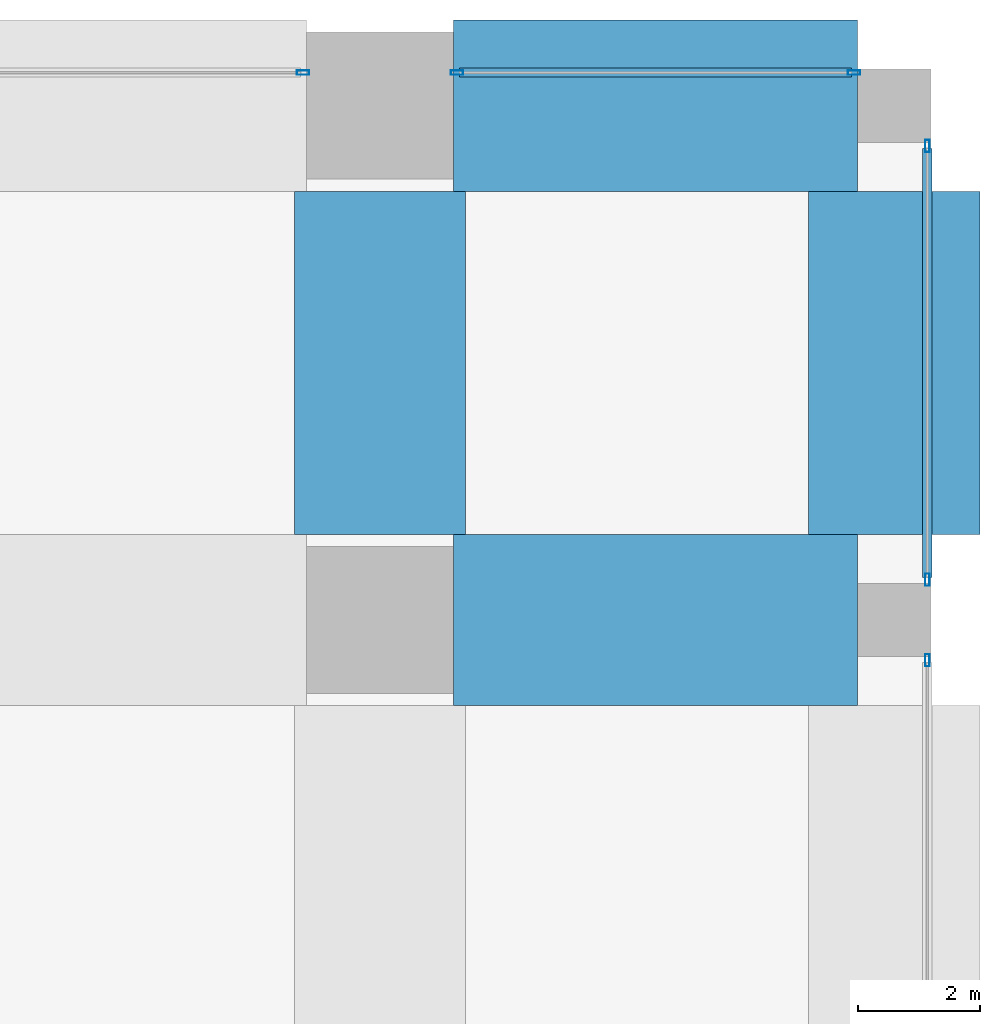
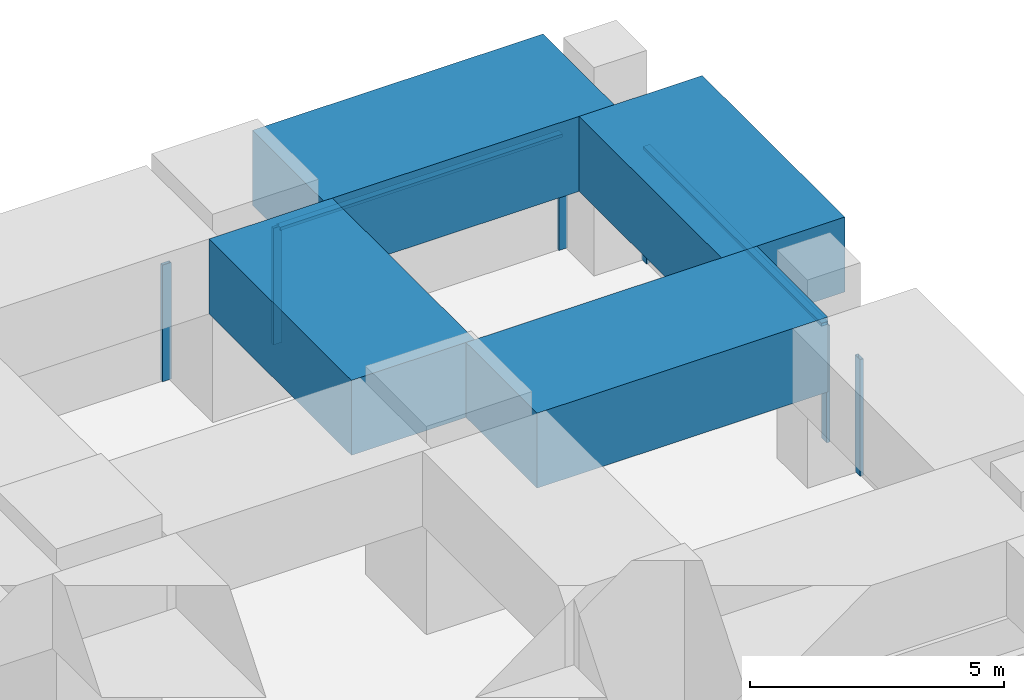
# One storey, part 36 of 52: 8 members, 4 beams, 4 elements without a shape of their own.
"""IFC4 building model written with IfcOpenShell, lengths in metres."""

from ifc_helpers import new_model, si_unit, direction, frame, origin, origin_2d, place, context, subcontext, project, spatial, rectangle, hollow_rectangle, extrude, material, material_profile, profile_set, type_object, element, aggregate, save


model = new_model("IFC4")

# Units and contexts
model_context = context("Model", 3, precision=1e-05, world=origin(), true_north=direction((0.0, 1.0)))
body_context = subcontext(model_context, "Body", "Model", "MODEL_VIEW")
ifc_project = project(units=[si_unit("LENGTHUNIT", "METRE"), si_unit("AREAUNIT", "SQUARE_METRE"), si_unit("VOLUMEUNIT", "CUBIC_METRE"), si_unit("PLANEANGLEUNIT", "RADIAN"), si_unit("MASSUNIT", "GRAM", prefix="KILO")], contexts=[model_context])

# Site, building, storey
site_placement = place(None, origin())
site = spatial("IfcSite", under=ifc_project, at=site_placement, CompositionType="ELEMENT")
building_placement = place(site_placement, origin())
building = spatial("IfcBuilding", under=site, at=building_placement, Name="Rekha Terrace Tower", CompositionType="ELEMENT")
storey_placement = place(building_placement, frame((0.0, 0.0, 20.39990234375)))
storey = spatial("IfcBuildingStorey", under=building, at=storey_placement, Name="L04", CompositionType="ELEMENT", Elevation=20.39990234375)

# Curtain wall, member
ifc_material_1 = material(Name="Aluminium framing", Category="aluminium")
curtain_wall_type = type_object("IfcCurtainWallType", Name="CW4 podium shopfront glazing", PredefinedType="USERDEFINED", material=ifc_material_1)
curtain_wall_1_placement = place(storey_placement, origin())
curtain_wall_1 = element("IfcCurtainWall", 1, at=curtain_wall_1_placement, inside=storey, type_object=curtain_wall_type, Name="CW4 shopfront curtain wall", ObjectType="SHOPFRONT CURTAIN WALL", PredefinedType="USERDEFINED")
ifc_material_2 = material(Name="Aluminium mullion section", Category="aluminium")
ifc_material_profile_1 = material_profile(ifc_material_2, hollow_rectangle(XDim=0.074951171875, YDim=0.199951171875, WallThickness=0.00390625, at=origin_2d()), Name="AL RHS 75x200")
ifc_profile_set_1 = profile_set([ifc_material_profile_1], Name="Aluminium mullion section")
member_type_1 = type_object("IfcMemberType", Name="CW4 mullion RHS 75 x 200", PredefinedType="MULLION", material=ifc_profile_set_1)
member_1_placement = place(storey_placement, frame((76.139892578125, 49.742431640625, 0.0), z_axis=(0.0, 0.0, 1.0), x_axis=(-1.0, 0.0, 0.0)))
member_1 = element("IfcMember", 2, at=member_1_placement, type_object=member_type_1, Name="CW4 mullion 2", PredefinedType="MULLION", context=body_context, shape_type="SweptSolid", body=[
    extrude(hollow_rectangle(XDim=0.074951171875, YDim=0.199951171875, WallThickness=0.00390625, at=origin_2d()), origin(), (0.0, 0.0, 1.0), 2.800048828125),
])
aggregate(curtain_wall_1, [member_1])

# Curtain wall, members
curtain_wall_2_placement = place(storey_placement, origin())
curtain_wall_2 = element("IfcCurtainWall", 3, at=curtain_wall_2_placement, inside=storey, type_object=curtain_wall_type, Name="CW4 shopfront curtain wall", ObjectType="SHOPFRONT CURTAIN WALL", PredefinedType="USERDEFINED")
member_2_placement = place(storey_placement, frame((76.139892578125, 51.0576171875, 0.0), z_axis=(0.0, 0.0, 1.0), x_axis=(-1.0, 0.0, 0.0)))
member_2 = element("IfcMember", 4, at=member_2_placement, type_object=member_type_1, Name="CW4 mullion 1", PredefinedType="MULLION", context=body_context, shape_type="SweptSolid", body=[
    extrude(hollow_rectangle(XDim=0.074951171875, YDim=0.199951171875, WallThickness=0.00390625, at=origin_2d()), origin(), (0.0, 0.0, 1.0), 2.800048828125),
])
member_3_placement = place(storey_placement, frame((76.139892578125, 58.142578125, 0.0), z_axis=(0.0, 0.0, 1.0), x_axis=(-1.0, 0.0, 0.0)))
member_3 = element("IfcMember", 5, at=member_3_placement, type_object=member_type_1, Name="CW4 mullion 2", PredefinedType="MULLION", context=body_context, shape_type="SweptSolid", body=[
    extrude(hollow_rectangle(XDim=0.074951171875, YDim=0.199951171875, WallThickness=0.00390625, at=origin_2d()), origin(), (0.0, 0.0, 1.0), 2.800048828125),
])

curtain_wall_3_placement = place(storey_placement, origin())
curtain_wall_3 = element("IfcCurtainWall", 6, at=curtain_wall_3_placement, inside=storey, type_object=curtain_wall_type, Name="CW4 shopfront curtain wall", ObjectType="SHOPFRONT CURTAIN WALL", PredefinedType="USERDEFINED")
member_4_placement = place(storey_placement, frame((74.9423828125, 59.340087890625, 0.0), z_axis=(0.0, 0.0, 1.0), x_axis=(0.0, -1.0, 0.0)))
member_4 = element("IfcMember", 7, at=member_4_placement, type_object=member_type_1, Name="CW4 mullion 1", PredefinedType="MULLION", context=body_context, shape_type="SweptSolid", body=[
    extrude(hollow_rectangle(XDim=0.074951171875, YDim=0.199951171875, WallThickness=0.00390625, at=origin_2d()), origin(), (0.0, 0.0, 1.0), 2.800048828125),
])
member_5_placement = place(storey_placement, frame((68.45751953125, 59.340087890625, 0.0), z_axis=(0.0, 0.0, 1.0), x_axis=(0.0, -1.0, 0.0)))
member_5 = element("IfcMember", 8, at=member_5_placement, type_object=member_type_1, Name="CW4 mullion 2", PredefinedType="MULLION", context=body_context, shape_type="SweptSolid", body=[
    extrude(hollow_rectangle(XDim=0.074951171875, YDim=0.199951171875, WallThickness=0.00390625, at=origin_2d()), origin(), (0.0, 0.0, 1.0), 2.800048828125),
])

# Curtain wall, member
curtain_wall_4_placement = place(storey_placement, origin())
curtain_wall_4 = element("IfcCurtainWall", 9, at=curtain_wall_4_placement, inside=storey, type_object=curtain_wall_type, Name="CW4 shopfront curtain wall", ObjectType="SHOPFRONT CURTAIN WALL", PredefinedType="USERDEFINED")
member_6_placement = place(storey_placement, frame((65.9423828125, 59.340087890625, 0.0), z_axis=(0.0, 0.0, 1.0), x_axis=(0.0, -1.0, 0.0)))
member_6 = element("IfcMember", 10, at=member_6_placement, type_object=member_type_1, Name="CW4 mullion 1", PredefinedType="MULLION", context=body_context, shape_type="SweptSolid", body=[
    extrude(hollow_rectangle(XDim=0.074951171875, YDim=0.199951171875, WallThickness=0.00390625, at=origin_2d()), origin(), (0.0, 0.0, 1.0), 2.800048828125),
])
aggregate(curtain_wall_4, [member_6])

# Member
ifc_material_3 = material(Name="Aluminium transom section", Category="aluminium")
ifc_material_profile_2 = material_profile(ifc_material_3, hollow_rectangle(XDim=0.14990234375, YDim=0.074951171875, WallThickness=0.0029296875, at=origin_2d()), Name="AL RHS 150x75")
ifc_profile_set_2 = profile_set([ifc_material_profile_2], Name="Aluminium transom section")
member_type_2 = type_object("IfcMemberType", Name="CW4 transom RHS 75 x 150", PredefinedType="USERDEFINED", material=ifc_profile_set_2)
member_7_placement = place(storey_placement, frame((76.139892578125, 51.094970703125, 2.7626953125), z_axis=(0.0, 1.0, 0.0), x_axis=(-1.0, 0.0, 0.0)))
member_7 = element("IfcMember", 11, at=member_7_placement, type_object=member_type_2, Name="CW4 transom 1.2", ObjectType="TRANSOM", PredefinedType="USERDEFINED", context=body_context, shape_type="SweptSolid", body=[
    extrude(hollow_rectangle(XDim=0.14990234375, YDim=0.074951171875, WallThickness=0.0029296875, at=origin_2d()), origin(), (0.0, 0.0, 1.0), 7.010009765625),
])

aggregate(curtain_wall_2, [member_2, member_3, member_7])

member_8_placement = place(storey_placement, frame((74.905029296875, 59.340087890625, 2.7626953125), z_axis=(-1.0, 0.0, 0.0), x_axis=(0.0, -1.0, 0.0)))
member_8 = element("IfcMember", 12, at=member_8_placement, type_object=member_type_2, Name="CW4 transom 1.2", ObjectType="TRANSOM", PredefinedType="USERDEFINED", context=body_context, shape_type="SweptSolid", body=[
    extrude(hollow_rectangle(XDim=0.14990234375, YDim=0.074951171875, WallThickness=0.0029296875, at=origin_2d()), origin(), (0.0, 0.0, 1.0), 6.409912109375),
])

aggregate(curtain_wall_3, [member_4, member_5, member_8])

# Beams
ifc_material_4 = material(Name="Concrete M70", Category="concrete")
ifc_material_profile_3 = material_profile(ifc_material_4, rectangle(XDim=2.800048828125, YDim=1.800048828125, at=origin_2d()), Name="RC 2800x1800")
ifc_profile_set_3 = profile_set([ifc_material_profile_3], Name="Concrete M70")
beam_type = type_object("IfcBeamType", Name="G2 2800x1800 podium roof band beam", PredefinedType="BEAM", material=ifc_profile_set_3)
beam_1_placement = place(storey_placement, frame((68.39990234375, 50.39990234375, 3.7001953125), z_axis=(1.0, 0.0, 0.0), x_axis=(0.0, 1.0, 0.0)))
element("IfcBeam", 13, at=beam_1_placement, inside=storey, type_object=beam_type, Name="Beam G2 9G-10G under L05", PredefinedType="BEAM", context=body_context, shape_type="SweptSolid", body=[
    extrude(rectangle(XDim=2.800048828125, YDim=1.800048828125, at=origin_2d()), origin(), (0.0, 0.0, 1.0), 6.60009765625),
])
beam_2_placement = place(storey_placement, frame((67.199951171875, 51.800048828125, 3.7001953125), z_axis=(0.0, 1.0, 0.0), x_axis=(-1.0, 0.0, 0.0)))
element("IfcBeam", 14, at=beam_2_placement, inside=storey, type_object=beam_type, Name="Beam G2 9G-9H under L05", PredefinedType="BEAM", context=body_context, shape_type="SweptSolid", body=[
    extrude(rectangle(XDim=2.800048828125, YDim=1.800048828125, at=origin_2d()), origin(), (0.0, 0.0, 1.0), 5.599853515625),
])
beam_3_placement = place(storey_placement, frame((68.39990234375, 58.800048828125, 3.7001953125), z_axis=(1.0, 0.0, 0.0), x_axis=(0.0, 1.0, 0.0)))
element("IfcBeam", 15, at=beam_3_placement, inside=storey, type_object=beam_type, Name="Beam G2 9H-10H under L05", PredefinedType="BEAM", context=body_context, shape_type="SweptSolid", body=[
    extrude(rectangle(XDim=2.800048828125, YDim=1.800048828125, at=origin_2d()), origin(), (0.0, 0.0, 1.0), 6.60009765625),
])
beam_4_placement = place(storey_placement, frame((75.60009765625, 51.800048828125, 3.7001953125), z_axis=(0.0, 1.0, 0.0), x_axis=(-1.0, 0.0, 0.0)))
element("IfcBeam", 16, at=beam_4_placement, inside=storey, type_object=beam_type, Name="Beam G2 10G-10H under L05", PredefinedType="BEAM", context=body_context, shape_type="SweptSolid", body=[
    extrude(rectangle(XDim=2.800048828125, YDim=1.800048828125, at=origin_2d()), origin(), (0.0, 0.0, 1.0), 5.599853515625),
])

save(model, "model.ifc")
